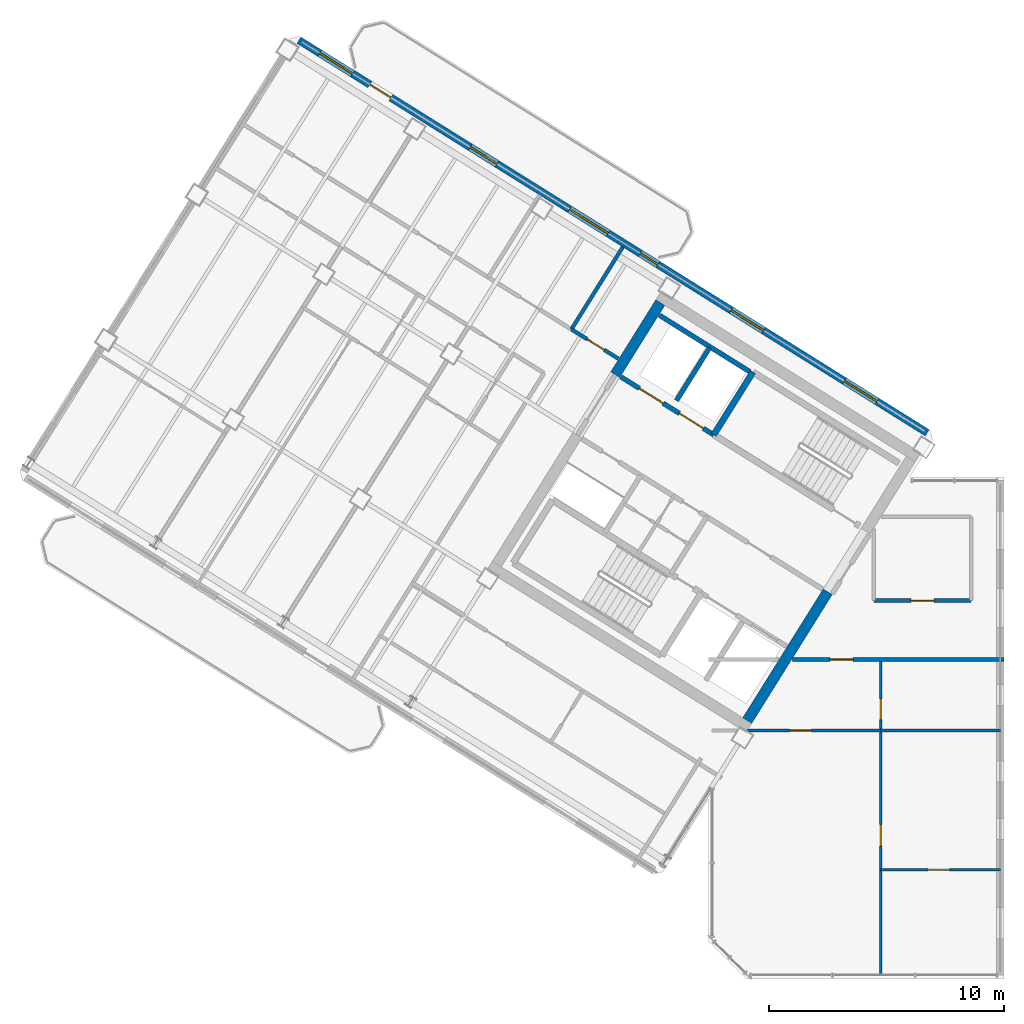
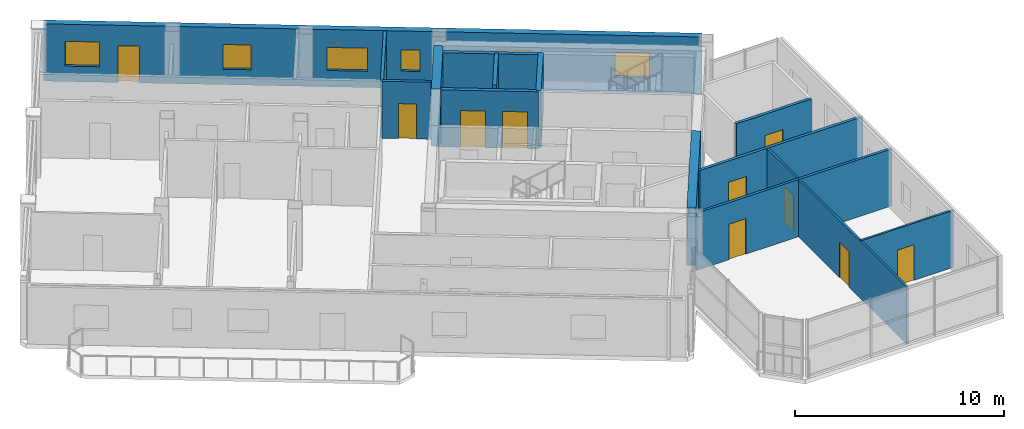
# One storey, part 10 of 17: 15 walls, 10 doors, 6 windows, 16 openings.
"""IFC4 building model written with IfcOpenShell, lengths in metres."""

from ifc_helpers import new_model, si_unit, direction, frame, frame_2d, origin, place, context, subcontext, project, spatial, rectangle, extrude, source, transform, mapped, material, layer, layer_set, type_object, element, fill, save


model = new_model("IFC4")

# Units and contexts
model_context = context("Model", 3, precision=1e-05, world=origin(), true_north=direction((0.0, 1.0)))
body_context = subcontext(model_context, "Body", "Model", "MODEL_VIEW")
ifc_project = project(units=[si_unit("LENGTHUNIT", "METRE"), si_unit("AREAUNIT", "SQUARE_METRE"), si_unit("VOLUMEUNIT", "CUBIC_METRE"), si_unit("PLANEANGLEUNIT", "RADIAN"), si_unit("MASSUNIT", "GRAM", prefix="KILO")], contexts=[model_context])

# Site, building, storey
site_placement = place(None, origin())
site = spatial("IfcSite", under=ifc_project, at=site_placement, CompositionType="ELEMENT")
building_placement = place(site_placement, origin())
building = spatial("IfcBuilding", under=site, at=building_placement, Name="Tlacorven Tower", CompositionType="ELEMENT")
storey_placement = place(building_placement, frame((0.0, 0.0, 277.199951171875)))
storey = spatial("IfcBuildingStorey", under=building, at=storey_placement, Name="L70", CompositionType="ELEMENT", Elevation=277.199951171875)

# Walls
ifc_material_1 = material(Name="Concrete C50/60", Category="concrete")
ifc_layer_1 = layer(ifc_material_1, 0.449951171875)
ifc_layer_set_1 = layer_set([ifc_layer_1], Name="Concrete C50/60")
wall_type_1 = type_object("IfcWallType", Name="WL-COR-450", PredefinedType="SHEAR", material=ifc_layer_set_1)
wall_1_placement = place(storey_placement, frame((36.683349609375, 18.30419921875, 0.0), z_axis=(0.0, 0.0, 1.0), x_axis=(-0.529904039071, -0.848057609704, 0.0)))
element("IfcWall", 1, at=wall_1_placement, inside=storey, type_object=wall_type_1, Name="L70 W core end wall E1.2", PredefinedType="SHEAR", context=body_context, shape_type="SweptSolid", body=[
    extrude(rectangle(XDim=6.47509765625, YDim=0.449951171875, at=frame_2d((3.237548828125, 0.0))), origin(), (0.0, 0.0, 1.0), 3.35009765625),
])
wall_2_placement = place(storey_placement, frame((29.543701171875, 30.636474609375, 0.0), z_axis=(0.0, 0.0, 1.0), x_axis=(-0.529902075036, -0.848058836916, 0.0)))
element("IfcWall", 2, at=wall_2_placement, inside=storey, type_object=wall_type_1, Name="L70 W core end wall E2.1", PredefinedType="SHEAR", context=body_context, shape_type="SweptSolid", body=[
    extrude(rectangle(XDim=3.625, YDim=0.449951171875, at=frame_2d((1.8125, 0.0))), origin(), (0.0, 0.0, 1.0), 3.35009765625),
])

# Wall, opening, door
ifc_material_2 = material(Name="Gypsum plasterboard acoustic partition", Category="gypsum")
ifc_layer_2 = layer(ifc_material_2, 0.159912109375)
ifc_layer_set_2 = layer_set([ifc_layer_2], Name="Gypsum plasterboard acoustic partition")
wall_type_2 = type_object("IfcWallType", Name="WL-DEM-160", PredefinedType="PARTITIONING", material=ifc_layer_set_2)
wall_3_placement = place(storey_placement, frame((27.75341796875, 28.2470703125, 0.0), z_axis=(0.0, 0.0, 1.0), x_axis=(-0.848033204961, 0.529943094382, 0.0)))
wall_3 = element("IfcWall", 3, at=wall_3_placement, inside=storey, type_object=wall_type_2, Name="L70 partition 22", PredefinedType="PARTITIONING", context=body_context, shape_type="SweptSolid", body=[
    extrude(rectangle(XDim=2.35791015625, YDim=0.159912109375, at=frame_2d((1.178955078125, 0.0))), origin(), (0.0, 0.0, 1.0), 3.340087890625),
])
opening_1_placement = place(wall_3_placement, frame((0.697998046875, 0.0, 0.0)))
opening_1 = element("IfcOpeningElement", 4, at=opening_1_placement, cuts=wall_3, Name="Opening D19", PredefinedType="OPENING", context=body_context, shape_type="SweptSolid", body=[
    extrude(rectangle(XDim=0.860107421875, YDim=2.050048828125, at=frame_2d((0.43017578125, 1.02490234375))), frame((0.0, 0.08984375, 0.0), z_axis=(0.0, -1.0, 0.0), x_axis=(1.0, 0.0, 0.0)), (0.0, 0.0, 1.0), 0.179931640625),
])
ifc_material_3 = material(Name="Fire-rated steel door assembly", Category="steel")
door_type_1 = type_object("IfcDoorType", Name="DR-RSR-FD60-0860", OperationType="NOTDEFINED", PredefinedType="DOOR", material=ifc_material_3)
shared_shape_1 = source(origin(), body_context, "Body", "SweptSolid", [
    extrude(rectangle(XDim=0.860107421875, YDim=2.050048828125, at=frame_2d((0.43017578125, 1.02490234375))), frame((0.0, 0.02490234375, 0.0), z_axis=(0.0, -1.0, 0.0), x_axis=(1.0, 0.0, 0.0)), (0.0, 0.0, 1.0), 0.050048828125),
])
door_1_placement = place(opening_1_placement, frame((0.860107421875, 0.0, 0.0), z_axis=(0.0, 0.0, 1.0), x_axis=(-1.0, 0.0, 0.0)))
door_1 = element("IfcDoor", 5, at=door_1_placement, inside=storey, type_object=door_type_1, Name="L70 door 013", OperationType="SINGLE_SWING_RIGHT", OverallHeight=2.050048828125, OverallWidth=0.860107421875, PredefinedType="DOOR", context=body_context, shape_type="MappedRepresentation", body=[
    mapped(shared_shape_1, transform((0.0, 0.0, 0.0), scale=1.0)),
])
fill(opening_1, door_1)

# Wall
wall_4_placement = place(storey_placement, frame((27.952880859375, 33.01611328125, 0.0), z_axis=(0.0, 0.0, 1.0), x_axis=(-0.529872022255, -0.848077614391, 0.0)))
element("IfcWall", 6, at=wall_4_placement, inside=storey, type_object=wall_type_2, Name="L70 partition 24", PredefinedType="PARTITIONING", context=body_context, shape_type="SweptSolid", body=[
    extrude(rectangle(XDim=4.14990234375, YDim=0.159912109375, at=frame_2d((2.074951171875, 0.0))), origin(), (0.0, 0.0, 1.0), 3.340087890625),
])

# Wall, opening, door
wall_5_placement = place(storey_placement, frame((35.178466796875, 15.419921875, 0.0), z_axis=(0.0, 0.0, 1.0), x_axis=(1.0, 0.0, 0.0)))
wall_5 = element("IfcWall", 7, at=wall_5_placement, inside=storey, type_object=wall_type_2, Name="L70 Knuckle Corridor South Wall", PredefinedType="PARTITIONING", context=body_context, shape_type="SweptSolid", body=[
    extrude(rectangle(XDim=9.021484375, YDim=0.159912109375, at=frame_2d((4.5107421875, 0.0))), origin(), (0.0, 0.0, 1.0), 3.340087890625),
])
opening_2_placement = place(wall_5_placement, frame((1.593505859375, 0.0, 0.0)))
opening_2 = element("IfcOpeningElement", 8, at=opening_2_placement, cuts=wall_5, Name="Opening D11", PredefinedType="OPENING", context=body_context, shape_type="SweptSolid", body=[
    extrude(rectangle(XDim=1.0, YDim=2.10009765625, at=frame_2d((0.5, 1.050048828125))), frame((0.0, 0.08984375, 0.0), z_axis=(0.0, -1.0, 0.0), x_axis=(1.0, 0.0, 0.0)), (0.0, 0.0, 1.0), 0.179931640625),
])
door_type_2 = type_object("IfcDoorType", Name="DR-FLT-FD60-1000", OperationType="NOTDEFINED", PredefinedType="DOOR", material=ifc_material_3)
shared_shape_2 = source(origin(), body_context, "Body", "SweptSolid", [
    extrude(rectangle(XDim=1.0, YDim=2.10009765625, at=frame_2d((0.5, 1.050048828125))), frame((0.0, 0.02490234375, 0.0), z_axis=(0.0, -1.0, 0.0), x_axis=(1.0, 0.0, 0.0)), (0.0, 0.0, 1.0), 0.050048828125),
])
door_2_placement = place(opening_2_placement, frame((1.0, 0.0, 0.0), z_axis=(0.0, 0.0, 1.0), x_axis=(-1.0, 0.0, 0.0)))
door_2 = element("IfcDoor", 9, at=door_2_placement, inside=storey, type_object=door_type_2, Name="L70 door 034", OperationType="SINGLE_SWING_LEFT", OverallHeight=2.10009765625, OverallWidth=1.0, PredefinedType="DOOR", context=body_context, shape_type="MappedRepresentation", body=[
    mapped(shared_shape_2, transform((0.0, 0.0, 0.0), scale=1.0)),
])
fill(opening_2, door_2)

wall_6_placement = place(storey_placement, frame((38.64990234375, 17.929931640625, 0.0), z_axis=(0.0, 0.0, 1.0), x_axis=(1.0, 0.0, 0.0)))
wall_6 = element("IfcWall", 10, at=wall_6_placement, inside=storey, type_object=wall_type_2, Name="L70 partition 45", PredefinedType="PARTITIONING", context=body_context, shape_type="SweptSolid", body=[
    extrude(rectangle(XDim=4.150146484375, YDim=0.159912109375, at=frame_2d((2.0751953125, 0.0))), origin(), (0.0, 0.0, 1.0), 3.340087890625),
])
opening_3_placement = place(wall_6_placement, frame((1.574951171875, 0.0, 0.0)))
opening_3 = element("IfcOpeningElement", 11, at=opening_3_placement, cuts=wall_6, Name="Opening D11", PredefinedType="OPENING", context=body_context, shape_type="SweptSolid", body=[
    extrude(rectangle(XDim=1.0, YDim=2.10009765625, at=frame_2d((0.5, 1.050048828125))), frame((0.0, 0.08984375, 0.0), z_axis=(0.0, -1.0, 0.0), x_axis=(1.0, 0.0, 0.0)), (0.0, 0.0, 1.0), 0.179931640625),
])
door_3_placement = place(opening_3_placement, origin())
door_3 = element("IfcDoor", 12, at=door_3_placement, inside=storey, type_object=door_type_2, Name="L70 door 030", OperationType="SINGLE_SWING_RIGHT", OverallHeight=2.10009765625, OverallWidth=1.0, PredefinedType="DOOR", context=body_context, shape_type="MappedRepresentation", body=[
    mapped(shared_shape_2, transform((0.0, 0.0, 0.0), scale=1.0)),
])
fill(opening_3, door_3)

# Wall, openings, door, windows
ifc_material_4 = material(Name="Precast concrete C45/55", Category="concrete")
ifc_layer_3 = layer(ifc_material_4, 0.320068359375)
ifc_layer_set_3 = layer_set([ifc_layer_3], Name="Precast concrete C45/55")
wall_type_3 = type_object("IfcWallType", Name="WL-EXT-320", PredefinedType="STANDARD", material=ifc_layer_set_3)
wall_7_placement = place(storey_placement, frame((14.13818359375, 41.825439453125, 0.0), z_axis=(0.0, 0.0, 1.0), x_axis=(0.848046498049, -0.529921821731, 0.0)))
wall_7 = element("IfcWall", 13, at=wall_7_placement, inside=storey, type_object=wall_type_3, Name="L70 Masonry-Frame Recessed Facade Wall 4", PredefinedType="STANDARD", context=body_context, shape_type="SweptSolid", body=[
    extrude(rectangle(XDim=31.587646484375, YDim=0.320068359375, at=frame_2d((15.7939453125, 0.0))), origin(), (0.0, 0.0, 1.0), 3.35009765625),
])
opening_4_placement = place(wall_7_placement, frame((3.568115234375, 0.0, 0.0)))
opening_4 = element("IfcOpeningElement", 14, at=opening_4_placement, cuts=wall_7, Name="Opening D06", PredefinedType="OPENING", context=body_context, shape_type="SweptSolid", body=[
    extrude(rectangle(XDim=1.050048828125, YDim=2.14990234375, at=frame_2d((0.52490234375, 1.074951171875))), frame((0.0, 0.169921875, 0.0), z_axis=(0.0, -1.0, 0.0), x_axis=(1.0, 0.0, 0.0)), (0.0, 0.0, 1.0), 0.340087890625),
])
opening_5_placement = place(wall_7_placement, frame((1.0458984375, 0.0, 0.89990234375)))
opening_5 = element("IfcOpeningElement", 15, at=opening_5_placement, cuts=wall_7, Name="Opening WN07", PredefinedType="OPENING", context=body_context, shape_type="SweptSolid", body=[
    extrude(rectangle(XDim=1.64990234375, YDim=1.449951171875, at=frame_2d((0.824951171875, 0.72509765625))), frame((0.0, 0.169921875, 0.0), z_axis=(0.0, -1.0, 0.0), x_axis=(1.0, 0.0, 0.0)), (0.0, 0.0, 1.0), 0.340087890625),
])
opening_6_placement = place(wall_7_placement, frame((8.610107421875, 0.0, 0.89990234375)))
opening_6 = element("IfcOpeningElement", 16, at=opening_6_placement, cuts=wall_7, Name="Opening WN08", PredefinedType="OPENING", context=body_context, shape_type="SweptSolid", body=[
    extrude(rectangle(XDim=1.35009765625, YDim=1.449951171875, at=frame_2d((0.675048828125, 0.72509765625))), frame((0.0, 0.169921875, 0.0), z_axis=(0.0, -1.0, 0.0), x_axis=(1.0, 0.0, 0.0)), (0.0, 0.0, 1.0), 0.340087890625),
])
opening_7_placement = place(wall_7_placement, frame((13.5986328125, 0.0, 0.949951171875)))
opening_7 = element("IfcOpeningElement", 17, at=opening_7_placement, cuts=wall_7, Name="Opening WN09", PredefinedType="OPENING", context=body_context, shape_type="SweptSolid", body=[
    extrude(rectangle(XDim=1.949951171875, YDim=1.35009765625, at=frame_2d((0.97509765625, 0.675048828125))), frame((0.0, 0.169921875, 0.0), z_axis=(0.0, -1.0, 0.0), x_axis=(1.0, 0.0, 0.0)), (0.0, 0.0, 1.0), 0.340087890625),
])
opening_8_placement = place(wall_7_placement, frame((17.15380859375, 0.0, 1.0)))
opening_8 = element("IfcOpeningElement", 18, at=opening_8_placement, cuts=wall_7, Name="Opening WN05", PredefinedType="OPENING", context=body_context, shape_type="SweptSolid", body=[
    extrude(rectangle(XDim=0.89990234375, YDim=1.25, at=frame_2d((0.449951171875, 0.625))), frame((0.0, 0.169921875, 0.0), z_axis=(0.0, -1.0, 0.0), x_axis=(1.0, 0.0, 0.0)), (0.0, 0.0, 1.0), 0.340087890625),
])
opening_9_placement = place(wall_7_placement, frame((21.71875, 0.0, 0.89990234375)))
opening_9 = element("IfcOpeningElement", 19, at=opening_9_placement, cuts=wall_7, Name="Opening WN07", PredefinedType="OPENING", context=body_context, shape_type="SweptSolid", body=[
    extrude(rectangle(XDim=1.64990234375, YDim=1.449951171875, at=frame_2d((0.824951171875, 0.72509765625))), frame((0.0, 0.169921875, 0.0), z_axis=(0.0, -1.0, 0.0), x_axis=(1.0, 0.0, 0.0)), (0.0, 0.0, 1.0), 0.340087890625),
])
opening_10_placement = place(wall_7_placement, frame((27.418701171875, 0.0, 0.89990234375)))
opening_10 = element("IfcOpeningElement", 20, at=opening_10_placement, cuts=wall_7, Name="Opening WN07", PredefinedType="OPENING", context=body_context, shape_type="SweptSolid", body=[
    extrude(rectangle(XDim=1.64990234375, YDim=1.449951171875, at=frame_2d((0.824951171875, 0.72509765625))), frame((0.0, 0.169921875, 0.0), z_axis=(0.0, -1.0, 0.0), x_axis=(1.0, 0.0, 0.0)), (0.0, 0.0, 1.0), 0.340087890625),
])
ifc_material_5 = material(Name="Powder-coated aluminium and timber door", Category="wood")
door_type_3 = type_object("IfcDoorType", Name="DR-EXT-BALC-1050", OperationType="NOTDEFINED", PredefinedType="DOOR", material=ifc_material_5)
shared_shape_3 = source(origin(), body_context, "Body", "SweptSolid", [
    extrude(rectangle(XDim=1.050048828125, YDim=2.14990234375, at=frame_2d((0.52490234375, 1.074951171875))), frame((0.0, 0.02490234375, 0.0), z_axis=(0.0, -1.0, 0.0), x_axis=(1.0, 0.0, 0.0)), (0.0, 0.0, 1.0), 0.050048828125),
])
door_4_placement = place(opening_4_placement, origin())
door_4 = element("IfcDoor", 21, at=door_4_placement, inside=storey, type_object=door_type_3, Name="L70 Outdoor Access Door BAL-L70-W-IN", OperationType="SINGLE_SWING_RIGHT", OverallHeight=2.14990234375, OverallWidth=1.050048828125, PredefinedType="DOOR", context=body_context, shape_type="MappedRepresentation", body=[
    mapped(shared_shape_3, transform((0.0, 0.0, 0.0), scale=1.0)),
])
fill(opening_4, door_4)
ifc_material_6 = material(Name="Dark solar low-E double glazing in anodised aluminium frame", Category="aluminium")
window_type_1 = type_object("IfcWindowType", Name="WN-APT-0900X1350", PartitioningType="SINGLE_PANEL", PredefinedType="WINDOW", material=ifc_material_6)
shared_shape_4 = source(origin(), body_context, "Body", "SweptSolid", [
    extrude(rectangle(XDim=0.89990234375, YDim=1.25, at=frame_2d((0.449951171875, 0.625))), frame((0.0, 0.030029296875, 0.0), z_axis=(0.0, -1.0, 0.0), x_axis=(1.0, 0.0, 0.0)), (0.0, 0.0, 1.0), 0.06005859375),
])
window_1_placement = place(opening_8_placement, origin())
window_1 = element("IfcWindow", 22, at=window_1_placement, inside=storey, type_object=window_type_1, Name="L70 Recessed Masonry-Frame Window L70-04.4", OverallHeight=1.25, OverallWidth=0.89990234375, PartitioningType="SINGLE_PANEL", PredefinedType="WINDOW", context=body_context, shape_type="MappedRepresentation", body=[
    mapped(shared_shape_4, transform((0.0, 0.0, 0.0), scale=1.0)),
])
fill(opening_8, window_1)
window_type_2 = type_object("IfcWindowType", Name="WN-APT-1650X1600", PartitioningType="SINGLE_PANEL", PredefinedType="WINDOW", material=ifc_material_6)
shared_shape_5 = source(origin(), body_context, "Body", "SweptSolid", [
    extrude(rectangle(XDim=1.64990234375, YDim=1.449951171875, at=frame_2d((0.824951171875, 0.72509765625))), frame((0.0, 0.030029296875, 0.0), z_axis=(0.0, -1.0, 0.0), x_axis=(1.0, 0.0, 0.0)), (0.0, 0.0, 1.0), 0.06005859375),
])
window_2_placement = place(opening_5_placement, origin())
window_2 = element("IfcWindow", 23, at=window_2_placement, inside=storey, type_object=window_type_2, Name="L70 Recessed Masonry-Frame Window L70-04.1", OverallHeight=1.449951171875, OverallWidth=1.64990234375, PartitioningType="SINGLE_PANEL", PredefinedType="WINDOW", context=body_context, shape_type="MappedRepresentation", body=[
    mapped(shared_shape_5, transform((0.0, 0.0, 0.0), scale=1.0)),
])
fill(opening_5, window_2)
window_3_placement = place(opening_9_placement, origin())
window_3 = element("IfcWindow", 24, at=window_3_placement, inside=storey, type_object=window_type_2, Name="L70 Recessed Masonry-Frame Window L70-04.5", OverallHeight=1.449951171875, OverallWidth=1.64990234375, PartitioningType="SINGLE_PANEL", PredefinedType="WINDOW", context=body_context, shape_type="MappedRepresentation", body=[
    mapped(shared_shape_5, transform((0.0, 0.0, 0.0), scale=1.0)),
])
fill(opening_9, window_3)
window_4_placement = place(opening_10_placement, origin())
window_4 = element("IfcWindow", 25, at=window_4_placement, inside=storey, type_object=window_type_2, Name="L70 Recessed Masonry-Frame Window L70-04.6", OverallHeight=1.449951171875, OverallWidth=1.64990234375, PartitioningType="SINGLE_PANEL", PredefinedType="WINDOW", context=body_context, shape_type="MappedRepresentation", body=[
    mapped(shared_shape_5, transform((0.0, 0.0, 0.0), scale=1.0)),
])
fill(opening_10, window_4)
window_type_3 = type_object("IfcWindowType", Name="WN-APT-1350X1550", PartitioningType="SINGLE_PANEL", PredefinedType="WINDOW", material=ifc_material_6)
shared_shape_6 = source(origin(), body_context, "Body", "SweptSolid", [
    extrude(rectangle(XDim=1.35009765625, YDim=1.449951171875, at=frame_2d((0.675048828125, 0.72509765625))), frame((0.0, 0.030029296875, 0.0), z_axis=(0.0, -1.0, 0.0), x_axis=(1.0, 0.0, 0.0)), (0.0, 0.0, 1.0), 0.06005859375),
])
window_5_placement = place(opening_6_placement, origin())
window_5 = element("IfcWindow", 26, at=window_5_placement, inside=storey, type_object=window_type_3, Name="L70 Recessed Masonry-Frame Window L70-04.2", OverallHeight=1.449951171875, OverallWidth=1.35009765625, PartitioningType="SINGLE_PANEL", PredefinedType="WINDOW", context=body_context, shape_type="MappedRepresentation", body=[
    mapped(shared_shape_6, transform((0.0, 0.0, 0.0), scale=1.0)),
])
fill(opening_6, window_5)
window_type_4 = type_object("IfcWindowType", Name="WN-GAL-1950X1450", PartitioningType="SINGLE_PANEL", PredefinedType="WINDOW", material=ifc_material_6)
shared_shape_7 = source(origin(), body_context, "Body", "SweptSolid", [
    extrude(rectangle(XDim=1.949951171875, YDim=1.35009765625, at=frame_2d((0.97509765625, 0.675048828125))), frame((0.0, 0.030029296875, 0.0), z_axis=(0.0, -1.0, 0.0), x_axis=(1.0, 0.0, 0.0)), (0.0, 0.0, 1.0), 0.06005859375),
])
window_6_placement = place(opening_7_placement, origin())
window_6 = element("IfcWindow", 27, at=window_6_placement, inside=storey, type_object=window_type_4, Name="L70 Recessed Masonry-Frame Window L70-04.3", OverallHeight=1.35009765625, OverallWidth=1.949951171875, PartitioningType="SINGLE_PANEL", PredefinedType="WINDOW", context=body_context, shape_type="MappedRepresentation", body=[
    mapped(shared_shape_7, transform((0.0, 0.0, 0.0), scale=1.0)),
])
fill(opening_7, window_6)

# Wall, openings, doors
ifc_material_7 = material(Name="Gypsum plasterboard partition", Category="gypsum")
ifc_layer_4 = layer(ifc_material_7, 0.110107421875)
ifc_layer_set_4 = layer_set([ifc_layer_4], Name="Gypsum plasterboard partition")
wall_type_4 = type_object("IfcWallType", Name="WL-INT-110", PredefinedType="PARTITIONING", material=ifc_layer_set_4)
wall_8_placement = place(storey_placement, frame((38.944091796875, 1.9599609375, 0.0), z_axis=(0.0, 0.0, 1.0), x_axis=(0.0, 1.0, 0.0)))
wall_8 = element("IfcWall", 28, at=wall_8_placement, inside=storey, type_object=wall_type_4, Name="L70 partition 49", PredefinedType="PARTITIONING", context=body_context, shape_type="SweptSolid", body=[
    extrude(rectangle(XDim=13.4599609375, YDim=0.110107421875, at=frame_2d((6.72998046875, 0.0))), origin(), (0.0, 0.0, 1.0), 3.340087890625),
])
opening_11_placement = place(wall_8_placement, frame((5.5, 0.0, 0.0)))
opening_11 = element("IfcOpeningElement", 29, at=opening_11_placement, cuts=wall_8, Name="Opening D12", PredefinedType="OPENING", context=body_context, shape_type="SweptSolid", body=[
    extrude(rectangle(XDim=0.919921875, YDim=2.080078125, at=frame_2d((0.4599609375, 1.0400390625))), frame((0.0, 0.06494140625, 0.0), z_axis=(0.0, -1.0, 0.0), x_axis=(1.0, 0.0, 0.0)), (0.0, 0.0, 1.0), 0.130126953125),
])
opening_12_placement = place(wall_8_placement, frame((10.889892578125, 0.0, 0.0)))
opening_12 = element("IfcOpeningElement", 30, at=opening_12_placement, cuts=wall_8, Name="Opening D13", PredefinedType="OPENING", context=body_context, shape_type="SweptSolid", body=[
    extrude(rectangle(XDim=0.8798828125, YDim=2.080078125, at=frame_2d((0.43994140625, 1.0400390625))), frame((0.0, 0.06494140625, 0.0), z_axis=(0.0, -1.0, 0.0), x_axis=(1.0, 0.0, 0.0)), (0.0, 0.0, 1.0), 0.130126953125),
])
door_type_4 = type_object("IfcDoorType", Name="DR-INT-WET-0880", OperationType="NOTDEFINED", PredefinedType="DOOR", material=ifc_material_5)
shared_shape_8 = source(origin(), body_context, "Body", "SweptSolid", [
    extrude(rectangle(XDim=0.8798828125, YDim=2.080078125, at=frame_2d((0.43994140625, 1.0400390625))), frame((0.0, 0.02490234375, 0.0), z_axis=(0.0, -1.0, 0.0), x_axis=(1.0, 0.0, 0.0)), (0.0, 0.0, 1.0), 0.050048828125),
])
door_5_placement = place(opening_12_placement, origin())
door_5 = element("IfcDoor", 31, at=door_5_placement, inside=storey, type_object=door_type_4, Name="L70 door 036", OperationType="SINGLE_SWING_LEFT", OverallHeight=2.080078125, OverallWidth=0.8798828125, PredefinedType="DOOR", context=body_context, shape_type="MappedRepresentation", body=[
    mapped(shared_shape_8, transform((0.0, 0.0, 0.0), scale=1.0)),
])
fill(opening_12, door_5)
door_type_5 = type_object("IfcDoorType", Name="DR-INT-ROOM-0920", OperationType="NOTDEFINED", PredefinedType="DOOR", material=ifc_material_5)
shared_shape_9 = source(origin(), body_context, "Body", "SweptSolid", [
    extrude(rectangle(XDim=0.919921875, YDim=2.080078125, at=frame_2d((0.4599609375, 1.0400390625))), frame((0.0, 0.02490234375, 0.0), z_axis=(0.0, -1.0, 0.0), x_axis=(1.0, 0.0, 0.0)), (0.0, 0.0, 1.0), 0.050048828125),
])
door_6_placement = place(opening_11_placement, origin())
door_6 = element("IfcDoor", 32, at=door_6_placement, inside=storey, type_object=door_type_5, Name="L70 door 032", OperationType="SINGLE_SWING_LEFT", OverallHeight=2.080078125, OverallWidth=0.919921875, PredefinedType="DOOR", context=body_context, shape_type="MappedRepresentation", body=[
    mapped(shared_shape_9, transform((0.0, 0.0, 0.0), scale=1.0)),
])
fill(opening_11, door_6)

# Wall, opening, door
wall_9_placement = place(storey_placement, frame((38.944091796875, 6.449951171875, 0.0), z_axis=(0.0, 0.0, 1.0), x_axis=(1.0, 0.0, 0.0)))
wall_9 = element("IfcWall", 33, at=wall_9_placement, inside=storey, type_object=wall_type_4, Name="L70 partition 52", PredefinedType="PARTITIONING", context=body_context, shape_type="SweptSolid", body=[
    extrude(rectangle(XDim=5.115966796875, YDim=0.110107421875, at=frame_2d((2.55810546875, 0.0))), origin(), (0.0, 0.0, 1.0), 3.340087890625),
])
opening_13_placement = place(wall_9_placement, frame((2.01806640625, 0.0, 0.0)))
opening_13 = element("IfcOpeningElement", 34, at=opening_13_placement, cuts=wall_9, Name="Opening D12", PredefinedType="OPENING", context=body_context, shape_type="SweptSolid", body=[
    extrude(rectangle(XDim=0.919921875, YDim=2.080078125, at=frame_2d((0.4599609375, 1.0400390625))), frame((0.0, 0.06494140625, 0.0), z_axis=(0.0, -1.0, 0.0), x_axis=(1.0, 0.0, 0.0)), (0.0, 0.0, 1.0), 0.130126953125),
])
door_7_placement = place(opening_13_placement, origin())
door_7 = element("IfcDoor", 35, at=door_7_placement, inside=storey, type_object=door_type_5, Name="L70 door 033", OperationType="SINGLE_SWING_RIGHT", OverallHeight=2.080078125, OverallWidth=0.919921875, PredefinedType="DOOR", context=body_context, shape_type="MappedRepresentation", body=[
    mapped(shared_shape_9, transform((0.0, 0.0, 0.0), scale=1.0)),
])
fill(opening_13, door_7)

ifc_material_8 = material(Name="Moisture-resistant gypsum plumbing wall", Category="gypsum")
ifc_layer_5 = layer(ifc_material_8, 0.139892578125)
ifc_layer_set_5 = layer_set([ifc_layer_5], Name="Moisture-resistant gypsum plumbing wall")
wall_type_5 = type_object("IfcWallType", Name="WL-PLM-140", PredefinedType="PLUMBINGWALL", material=ifc_layer_set_5)
wall_10_placement = place(storey_placement, frame((33.267333984375, 12.389892578125, 0.0), z_axis=(0.0, 0.0, 1.0), x_axis=(1.0, 0.0, 0.0)))
wall_10 = element("IfcWall", 36, at=wall_10_placement, inside=storey, type_object=wall_type_5, Name="L70 partition 50", PredefinedType="PLUMBINGWALL", context=body_context, shape_type="SweptSolid", body=[
    extrude(rectangle(XDim=5.6767578125, YDim=0.139892578125, at=frame_2d((2.83837890625, 0.0))), origin(), (0.0, 0.0, 1.0), 3.340087890625),
])
opening_14_placement = place(wall_10_placement, frame((1.794677734375, 0.0, 0.0)))
opening_14 = element("IfcOpeningElement", 37, at=opening_14_placement, cuts=wall_10, Name="Opening D12", PredefinedType="OPENING", context=body_context, shape_type="SweptSolid", body=[
    extrude(rectangle(XDim=0.919921875, YDim=2.080078125, at=frame_2d((0.4599609375, 1.0400390625))), frame((0.0, 0.080078125, 0.0), z_axis=(0.0, -1.0, 0.0), x_axis=(1.0, 0.0, 0.0)), (0.0, 0.0, 1.0), 0.159912109375),
])
door_8_placement = place(opening_14_placement, frame((0.919921875, 0.0, 0.0), z_axis=(0.0, 0.0, 1.0), x_axis=(-1.0, 0.0, 0.0)))
door_8 = element("IfcDoor", 38, at=door_8_placement, inside=storey, type_object=door_type_5, Name="L70 door 035", OperationType="SINGLE_SWING_RIGHT", OverallHeight=2.080078125, OverallWidth=0.919921875, PredefinedType="DOOR", context=body_context, shape_type="MappedRepresentation", body=[
    mapped(shared_shape_9, transform((0.0, 0.0, 0.0), scale=1.0)),
])
fill(opening_14, door_8)

# Wall
wall_11_placement = place(storey_placement, frame((38.944091796875, 12.389892578125, 0.0), z_axis=(0.0, 0.0, 1.0), x_axis=(1.0, 0.0, 0.0)))
element("IfcWall", 39, at=wall_11_placement, inside=storey, type_object=wall_type_5, Name="L70 partition 51", PredefinedType="PLUMBINGWALL", context=body_context, shape_type="SweptSolid", body=[
    extrude(rectangle(XDim=5.115966796875, YDim=0.139892578125, at=frame_2d((2.55810546875, 0.0))), origin(), (0.0, 0.0, 1.0), 3.340087890625),
])

# Wall, openings, doors
ifc_material_9 = material(Name="Concrete C40/50", Category="concrete")
ifc_layer_6 = layer(ifc_material_9, 0.199951171875)
ifc_layer_set_6 = layer_set([ifc_layer_6], Name="Concrete C40/50")
wall_type_6 = type_object("IfcWallType", Name="WL-SHF-200", PredefinedType="STANDARD", material=ifc_layer_set_6)
wall_12_placement = place(storey_placement, frame((31.82177734375, 24.99755859375, 0.0), z_axis=(0.0, 0.0, 1.0), x_axis=(-0.848054125777, 0.529909614701, 0.0)))
wall_12 = element("IfcWall", 40, at=wall_12_placement, inside=storey, type_object=wall_type_6, Name="L70 Core W South Lift Shaft Wall", PredefinedType="STANDARD", context=body_context, shape_type="SweptSolid", body=[
    extrude(rectangle(XDim=4.66796875, YDim=0.199951171875, at=frame_2d((2.333984375, 0.0))), origin(), (0.0, 0.0, 1.0), 3.340087890625),
])
opening_15_placement = place(wall_12_placement, frame((0.52001953125, 0.0, 0.0)))
opening_15 = element("IfcOpeningElement", 41, at=opening_15_placement, cuts=wall_12, Name="Opening LD02", PredefinedType="OPENING", context=body_context, shape_type="SweptSolid", body=[
    extrude(rectangle(XDim=1.199951171875, YDim=2.14990234375, at=frame_2d((0.60009765625, 1.074951171875))), frame((0.0, 0.10986328125, 0.0), z_axis=(0.0, -1.0, 0.0), x_axis=(1.0, 0.0, 0.0)), (0.0, 0.0, 1.0), 0.219970703125),
])
opening_16_placement = place(wall_12_placement, frame((2.5400390625, 0.0, 0.0)))
opening_16 = element("IfcOpeningElement", 42, at=opening_16_placement, cuts=wall_12, Name="Opening LD02", PredefinedType="OPENING", context=body_context, shape_type="SweptSolid", body=[
    extrude(rectangle(XDim=1.199951171875, YDim=2.14990234375, at=frame_2d((0.60009765625, 1.074951171875))), frame((0.0, 0.10986328125, 0.0), z_axis=(0.0, -1.0, 0.0), x_axis=(1.0, 0.0, 0.0)), (0.0, 0.0, 1.0), 0.219970703125),
])
door_type_6 = type_object("IfcDoorType", Name="DR-LFT-SLID-1200", OperationType="DOUBLE_DOOR_SLIDING", PredefinedType="DOOR", material=ifc_material_3)
shared_shape_10 = source(origin(), body_context, "Body", "SweptSolid", [
    extrude(rectangle(XDim=1.199951171875, YDim=2.14990234375, at=frame_2d((0.60009765625, 1.074951171875))), frame((0.0, 0.02490234375, 0.0), z_axis=(0.0, -1.0, 0.0), x_axis=(1.0, 0.0, 0.0)), (0.0, 0.0, 1.0), 0.050048828125),
])
door_9_placement = place(opening_15_placement, origin())
door_9 = element("IfcDoor", 43, at=door_9_placement, inside=storey, type_object=door_type_6, Name="L70 Lift PL-H1 Sliding Landing Door", OperationType="DOUBLE_DOOR_SLIDING", OverallHeight=2.14990234375, OverallWidth=1.199951171875, PredefinedType="DOOR", context=body_context, shape_type="MappedRepresentation", body=[
    mapped(shared_shape_10, transform((0.0, 0.0, 0.0), scale=1.0)),
])
fill(opening_15, door_9)
door_10_placement = place(opening_16_placement, origin())
door_10 = element("IfcDoor", 44, at=door_10_placement, inside=storey, type_object=door_type_6, Name="L70 Lift PL-H2 Sliding Landing Door", OperationType="DOUBLE_DOOR_SLIDING", OverallHeight=2.14990234375, OverallWidth=1.199951171875, PredefinedType="DOOR", context=body_context, shape_type="MappedRepresentation", body=[
    mapped(shared_shape_10, transform((0.0, 0.0, 0.0), scale=1.0)),
])
fill(opening_16, door_10)

# Walls
wall_13_placement = place(storey_placement, frame((31.645263671875, 28.716064453125, 0.0), z_axis=(0.0, 0.0, 1.0), x_axis=(-0.52986693015, -0.848080795876, 0.0)))
element("IfcWall", 45, at=wall_13_placement, inside=storey, type_object=wall_type_6, Name="L70 partition 12", PredefinedType="STANDARD", context=body_context, shape_type="SweptSolid", body=[
    extrude(rectangle(XDim=2.659912109375, YDim=0.199951171875, at=frame_2d((1.330078125, 0.0))), origin(), (0.0, 0.0, 1.0), 3.340087890625),
])
wall_14_placement = place(storey_placement, frame((33.362548828125, 27.690185546875, 0.0), z_axis=(0.0, 0.0, 1.0), x_axis=(-0.84804957148, 0.529916903215, 0.0)))
element("IfcWall", 46, at=wall_14_placement, inside=storey, type_object=wall_type_6, Name="L70 partition 14", PredefinedType="STANDARD", context=body_context, shape_type="SweptSolid", body=[
    extrude(rectangle(XDim=4.547607421875, YDim=0.199951171875, at=frame_2d((2.27392578125, 0.0))), origin(), (0.0, 0.0, 1.0), 3.340087890625),
])
ifc_layer_7 = layer(ifc_material_1, 0.260009765625)
ifc_layer_set_7 = layer_set([ifc_layer_7], Name="Concrete C50/60")
wall_type_7 = type_object("IfcWallType", Name="WL-STW-260", PredefinedType="SHEAR", material=ifc_layer_set_7)
wall_15_placement = place(storey_placement, frame((33.496337890625, 27.677490234375, 0.0), z_axis=(0.0, 0.0, 1.0), x_axis=(-0.529908658664, -0.84805472316, 0.0)))
element("IfcWall", 47, at=wall_15_placement, inside=storey, type_object=wall_type_7, Name="L70 Stair W2 East Shear Wall", PredefinedType="SHEAR", context=body_context, shape_type="SweptSolid", body=[
    extrude(rectangle(XDim=3.16015625, YDim=0.260009765625, at=frame_2d((1.580078125, 0.0))), origin(), (0.0, 0.0, 1.0), 3.35009765625),
])

save(model, "model.ifc")
